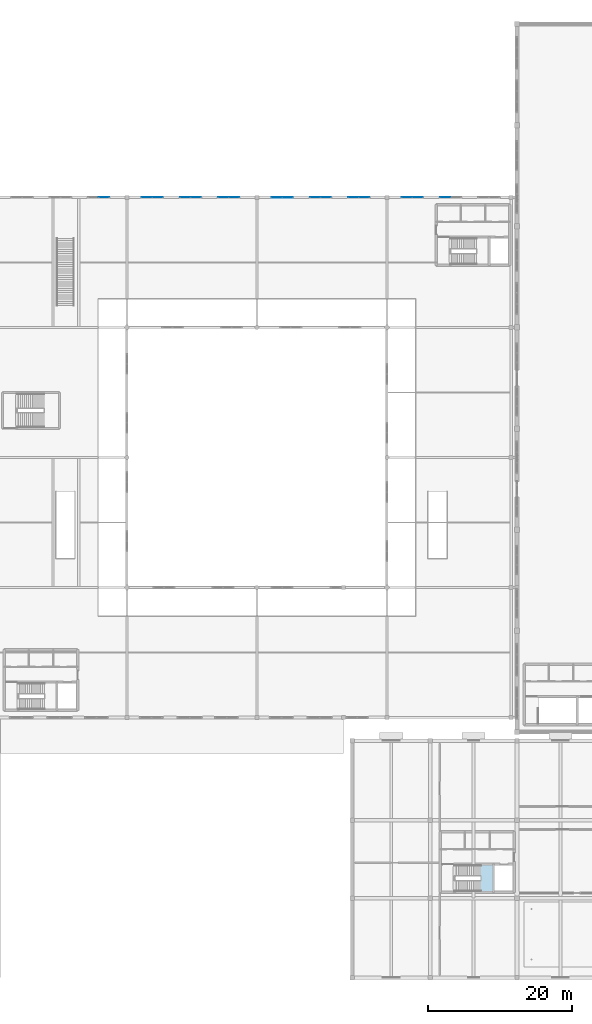
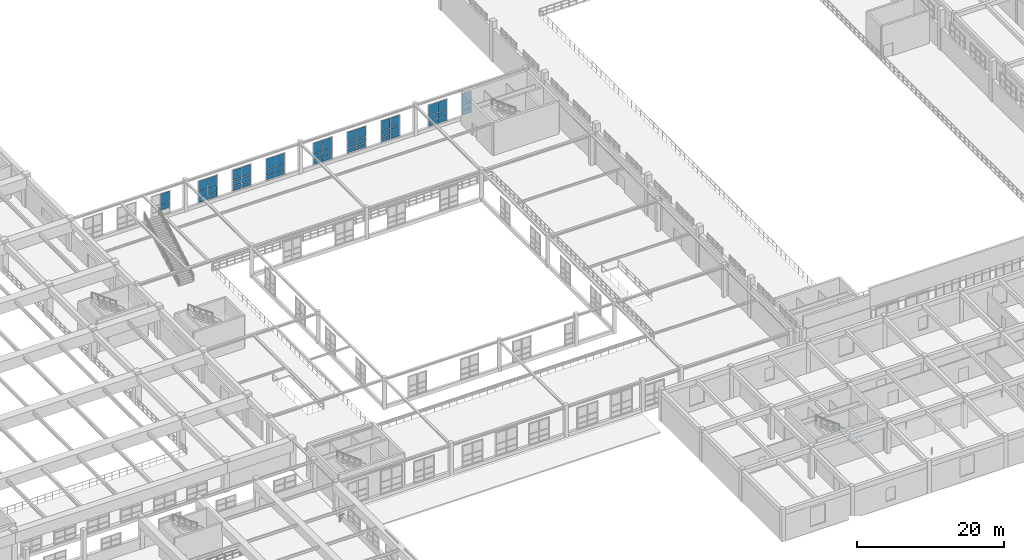
# One storey, part 161 of 197: 47 plates, 1 slab, 10 elements without a shape of their own.
"""IFC4 building model written with IfcOpenShell, lengths in metres."""

from ifc_helpers import new_model, si_unit, derived_unit, direction, frame, origin, origin_2d, place, context, subcontext, project, spatial, polyline, rectangle, outline, extrude, material, layer, layer_set, type_object, element, aggregate, save


model = new_model("IFC4")

# Units and contexts
model_context = context("Model", 3, precision=1e-05, world=origin(), true_north=direction((0.0, 1.0)))
body_context = subcontext(model_context, "Body", "Model", "MODEL_VIEW")
ifc_project = project(units=[si_unit("LENGTHUNIT", "METRE"), si_unit("AREAUNIT", "SQUARE_METRE"), si_unit("VOLUMEUNIT", "CUBIC_METRE"), si_unit("PLANEANGLEUNIT", "RADIAN"), si_unit("MASSUNIT", "GRAM", prefix="KILO"), derived_unit("THERMALTRANSMITTANCEUNIT", [(si_unit("POWERUNIT", "WATT"), 1), (si_unit("LENGTHUNIT", "METRE"), -2), (si_unit("THERMODYNAMICTEMPERATUREUNIT", "KELVIN"), -1)])], contexts=[model_context])

# Site, building, storey
site_placement = place(None, origin())
site = spatial("IfcSite", under=ifc_project, at=site_placement, CompositionType="ELEMENT")
building_placement = place(site_placement, origin())
building = spatial("IfcBuilding", under=site, at=building_placement, Name="Almenara Railside Exhibition Hall", CompositionType="ELEMENT")
storey_placement = place(building_placement, frame((0.0, 0.0, 5.39990234375)))
storey = spatial("IfcBuildingStorey", under=building, at=storey_placement, Name="L01", CompositionType="ELEMENT", Elevation=5.39990234375)

# Curtain wall, plates
ifc_material_1 = material(Name="Bronze-anodised aluminium and low-E double glazing", Category="aluminium")
ifc_layer_1 = layer(ifc_material_1, 0.179931640625, Name="Bronze-anodised aluminium and low-E double glazing")
ifc_layer_set_1 = layer_set([ifc_layer_1], Name="Bronze-anodised aluminium and low-E double glazing")
curtain_wall_type = type_object("IfcCurtainWallType", Name="Courtyard North Galeria Curtain Wall 3000x3700", PredefinedType="NOTDEFINED", material=ifc_layer_set_1)
curtain_wall_1_placement = place(storey_placement, origin())
curtain_wall_1 = element("IfcCurtainWall", 1, at=curtain_wall_1_placement, inside=storey, type_object=curtain_wall_type, Name="Curtain wall CW-CY1-130", PredefinedType="NOTDEFINED")
ifc_material_2 = material(Name="Solar-control acoustic laminated glazing", Category="glass")
ifc_layer_2 = layer(ifc_material_2, 0.031982421875, Name="Solar-control acoustic laminated glazing")
ifc_layer_set_2 = layer_set([ifc_layer_2], Name="Solar-control acoustic laminated glazing")
plate_type_1 = type_object("IfcPlateType", Name="Acoustic Low-E Double Glazing Panel 32mm", PredefinedType="CURTAIN_PANEL", material=ifc_layer_set_2)
plate_1_placement = place(storey_placement, frame((86.763671875, 108.0, 0.674072265625), z_axis=(0.0, 0.0, 1.0), x_axis=(1.0, 0.0, 0.0)))
plate_1 = element("IfcPlate", 2, at=plate_1_placement, type_object=plate_type_1, Name="CW-CY1-130 panel 1.1", PredefinedType="CURTAIN_PANEL", context=body_context, shape_type="SweptSolid", body=[
    extrude(rectangle(XDim=1.43359375, YDim=0.031982421875, at=origin_2d()), origin(), (0.0, 0.0, 1.0), 0.7470703125),
])
plate_2_placement = place(storey_placement, frame((86.763671875, 108.0, 1.479248046875), z_axis=(0.0, 0.0, 1.0), x_axis=(1.0, 0.0, 0.0)))
plate_2 = element("IfcPlate", 3, at=plate_2_placement, type_object=plate_type_1, Name="CW-CY1-130 panel 1.2", PredefinedType="CURTAIN_PANEL", context=body_context, shape_type="SweptSolid", body=[
    extrude(rectangle(XDim=1.43359375, YDim=0.031982421875, at=origin_2d()), origin(), (0.0, 0.0, 1.0), 0.94189453125),
])
plate_3_placement = place(storey_placement, frame((86.763671875, 108.0, 2.47900390625), z_axis=(0.0, 0.0, 1.0), x_axis=(1.0, 0.0, 0.0)))
plate_3 = element("IfcPlate", 4, at=plate_3_placement, type_object=plate_type_1, Name="CW-CY1-130 panel 1.3", PredefinedType="CURTAIN_PANEL", context=body_context, shape_type="SweptSolid", body=[
    extrude(rectangle(XDim=1.43359375, YDim=0.031982421875, at=origin_2d()), origin(), (0.0, 0.0, 1.0), 1.7470703125),
])
plate_4_placement = place(storey_placement, frame((88.236328125, 108.0, 0.674072265625), z_axis=(0.0, 0.0, 1.0), x_axis=(1.0, 0.0, 0.0)))
plate_4 = element("IfcPlate", 5, at=plate_4_placement, type_object=plate_type_1, Name="CW-CY1-130 panel 2.1", PredefinedType="CURTAIN_PANEL", context=body_context, shape_type="SweptSolid", body=[
    extrude(rectangle(XDim=1.43359375, YDim=0.031982421875, at=origin_2d()), origin(), (0.0, 0.0, 1.0), 0.7470703125),
])
plate_5_placement = place(storey_placement, frame((88.236328125, 108.0, 1.479248046875), z_axis=(0.0, 0.0, 1.0), x_axis=(1.0, 0.0, 0.0)))
plate_5 = element("IfcPlate", 6, at=plate_5_placement, type_object=plate_type_1, Name="CW-CY1-130 panel 2.2", PredefinedType="CURTAIN_PANEL", context=body_context, shape_type="SweptSolid", body=[
    extrude(rectangle(XDim=1.43359375, YDim=0.031982421875, at=origin_2d()), origin(), (0.0, 0.0, 1.0), 0.94189453125),
])
plate_6_placement = place(storey_placement, frame((88.236328125, 108.0, 2.47900390625), z_axis=(0.0, 0.0, 1.0), x_axis=(1.0, 0.0, 0.0)))
plate_6 = element("IfcPlate", 7, at=plate_6_placement, type_object=plate_type_1, Name="CW-CY1-130 panel 2.3", PredefinedType="CURTAIN_PANEL", context=body_context, shape_type="SweptSolid", body=[
    extrude(rectangle(XDim=1.43359375, YDim=0.031982421875, at=origin_2d()), origin(), (0.0, 0.0, 1.0), 1.7470703125),
])
aggregate(curtain_wall_1, [plate_1, plate_2, plate_3, plate_4, plate_5, plate_6])

curtain_wall_2_placement = place(storey_placement, origin())
curtain_wall_2 = element("IfcCurtainWall", 8, at=curtain_wall_2_placement, inside=storey, type_object=curtain_wall_type, Name="Curtain wall CW-CY1-140", PredefinedType="NOTDEFINED")
plate_7_placement = place(storey_placement, frame((115.3662109375, 108.0, 0.72412109375), z_axis=(0.0, 0.0, 1.0), x_axis=(1.0, 0.0, 0.0)))
plate_7 = element("IfcPlate", 9, at=plate_7_placement, type_object=plate_type_1, Name="CW-CY1-140 panel 1.1", PredefinedType="CURTAIN_PANEL", context=body_context, shape_type="SweptSolid", body=[
    extrude(rectangle(XDim=1.41845703125, YDim=0.031982421875, at=origin_2d()), origin(), (0.0, 0.0, 1.0), 0.672119140625),
])
plate_8_placement = place(storey_placement, frame((115.3662109375, 108.0, 1.504150390625), z_axis=(0.0, 0.0, 1.0), x_axis=(1.0, 0.0, 0.0)))
plate_8 = element("IfcPlate", 10, at=plate_8_placement, type_object=plate_type_1, Name="CW-CY1-140 panel 1.2", PredefinedType="CURTAIN_PANEL", context=body_context, shape_type="SweptSolid", body=[
    extrude(rectangle(XDim=1.41845703125, YDim=0.031982421875, at=origin_2d()), origin(), (0.0, 0.0, 1.0), 0.89208984375),
])
plate_9_placement = place(storey_placement, frame((115.3662109375, 108.0, 2.50390625), z_axis=(0.0, 0.0, 1.0), x_axis=(1.0, 0.0, 0.0)))
plate_9 = element("IfcPlate", 11, at=plate_9_placement, type_object=plate_type_1, Name="CW-CY1-140 panel 1.3", PredefinedType="CURTAIN_PANEL", context=body_context, shape_type="SweptSolid", body=[
    extrude(rectangle(XDim=1.41845703125, YDim=0.031982421875, at=origin_2d()), origin(), (0.0, 0.0, 1.0), 1.672119140625),
])
plate_10_placement = place(storey_placement, frame((116.833740234375, 108.0, 0.72412109375), z_axis=(0.0, 0.0, 1.0), x_axis=(1.0, 0.0, 0.0)))
plate_10 = element("IfcPlate", 12, at=plate_10_placement, type_object=plate_type_1, Name="CW-CY1-140 panel 2.1", PredefinedType="CURTAIN_PANEL", context=body_context, shape_type="SweptSolid", body=[
    extrude(rectangle(XDim=1.41845703125, YDim=0.031982421875, at=origin_2d()), origin(), (0.0, 0.0, 1.0), 0.672119140625),
])
plate_11_placement = place(storey_placement, frame((116.833740234375, 108.0, 1.504150390625), z_axis=(0.0, 0.0, 1.0), x_axis=(1.0, 0.0, 0.0)))
plate_11 = element("IfcPlate", 13, at=plate_11_placement, type_object=plate_type_1, Name="CW-CY1-140 panel 2.2", PredefinedType="CURTAIN_PANEL", context=body_context, shape_type="SweptSolid", body=[
    extrude(rectangle(XDim=1.41845703125, YDim=0.031982421875, at=origin_2d()), origin(), (0.0, 0.0, 1.0), 0.89208984375),
])
plate_12_placement = place(storey_placement, frame((116.833740234375, 108.0, 2.50390625), z_axis=(0.0, 0.0, 1.0), x_axis=(1.0, 0.0, 0.0)))
plate_12 = element("IfcPlate", 14, at=plate_12_placement, type_object=plate_type_1, Name="CW-CY1-140 panel 2.3", PredefinedType="CURTAIN_PANEL", context=body_context, shape_type="SweptSolid", body=[
    extrude(rectangle(XDim=1.41845703125, YDim=0.031982421875, at=origin_2d()), origin(), (0.0, 0.0, 1.0), 1.672119140625),
])
aggregate(curtain_wall_2, [plate_7, plate_8, plate_9, plate_10, plate_11, plate_12])

curtain_wall_3_placement = place(storey_placement, origin())
curtain_wall_3 = element("IfcCurtainWall", 15, at=curtain_wall_3_placement, inside=storey, type_object=curtain_wall_type, Name="Curtain wall CW-CY1-132", PredefinedType="NOTDEFINED")
ifc_material_3 = material(Name="Clear low-E laminated double glazing", Category="glass")
ifc_layer_3 = layer(ifc_material_3, 0.02392578125, Name="Clear low-E laminated double glazing")
ifc_layer_set_3 = layer_set([ifc_layer_3], Name="Clear low-E laminated double glazing")
plate_type_2 = type_object("IfcPlateType", Name="Courtyard Clear Double Glazing Panel 24mm", PredefinedType="CURTAIN_PANEL", material=ifc_layer_set_3)
plate_13_placement = place(storey_placement, frame((97.3662109375, 108.0, 0.72412109375), z_axis=(0.0, 0.0, 1.0), x_axis=(1.0, 0.0, 0.0)))
plate_13 = element("IfcPlate", 16, at=plate_13_placement, type_object=plate_type_2, Name="CW-CY1-132 panel 1.1", PredefinedType="CURTAIN_PANEL", context=body_context, shape_type="SweptSolid", body=[
    extrude(rectangle(XDim=1.41845703125, YDim=0.02392578125, at=origin_2d()), origin(), (0.0, 0.0, 1.0), 0.672119140625),
])
plate_14_placement = place(storey_placement, frame((97.3662109375, 108.0, 1.504150390625), z_axis=(0.0, 0.0, 1.0), x_axis=(1.0, 0.0, 0.0)))
plate_14 = element("IfcPlate", 17, at=plate_14_placement, type_object=plate_type_2, Name="CW-CY1-132 panel 1.2", PredefinedType="CURTAIN_PANEL", context=body_context, shape_type="SweptSolid", body=[
    extrude(rectangle(XDim=1.41845703125, YDim=0.02392578125, at=origin_2d()), origin(), (0.0, 0.0, 1.0), 0.89208984375),
])
plate_15_placement = place(storey_placement, frame((97.3662109375, 108.0, 2.50390625), z_axis=(0.0, 0.0, 1.0), x_axis=(1.0, 0.0, 0.0)))
plate_15 = element("IfcPlate", 18, at=plate_15_placement, type_object=plate_type_2, Name="CW-CY1-132 panel 1.3", PredefinedType="CURTAIN_PANEL", context=body_context, shape_type="SweptSolid", body=[
    extrude(rectangle(XDim=1.41845703125, YDim=0.02392578125, at=origin_2d()), origin(), (0.0, 0.0, 1.0), 1.672119140625),
])
plate_16_placement = place(storey_placement, frame((98.833740234375, 108.0, 0.72412109375), z_axis=(0.0, 0.0, 1.0), x_axis=(1.0, 0.0, 0.0)))
plate_16 = element("IfcPlate", 19, at=plate_16_placement, type_object=plate_type_2, Name="CW-CY1-132 panel 2.1", PredefinedType="CURTAIN_PANEL", context=body_context, shape_type="SweptSolid", body=[
    extrude(rectangle(XDim=1.41845703125, YDim=0.02392578125, at=origin_2d()), origin(), (0.0, 0.0, 1.0), 0.672119140625),
])
plate_17_placement = place(storey_placement, frame((98.833740234375, 108.0, 1.504150390625), z_axis=(0.0, 0.0, 1.0), x_axis=(1.0, 0.0, 0.0)))
plate_17 = element("IfcPlate", 20, at=plate_17_placement, type_object=plate_type_2, Name="CW-CY1-132 panel 2.2", PredefinedType="CURTAIN_PANEL", context=body_context, shape_type="SweptSolid", body=[
    extrude(rectangle(XDim=1.41845703125, YDim=0.02392578125, at=origin_2d()), origin(), (0.0, 0.0, 1.0), 0.89208984375),
])
plate_18_placement = place(storey_placement, frame((98.833740234375, 108.0, 2.50390625), z_axis=(0.0, 0.0, 1.0), x_axis=(1.0, 0.0, 0.0)))
plate_18 = element("IfcPlate", 21, at=plate_18_placement, type_object=plate_type_2, Name="CW-CY1-132 panel 2.3", PredefinedType="CURTAIN_PANEL", context=body_context, shape_type="SweptSolid", body=[
    extrude(rectangle(XDim=1.41845703125, YDim=0.02392578125, at=origin_2d()), origin(), (0.0, 0.0, 1.0), 1.672119140625),
])
aggregate(curtain_wall_3, [plate_13, plate_14, plate_15, plate_16, plate_17, plate_18])

curtain_wall_4_placement = place(storey_placement, origin())
curtain_wall_4 = element("IfcCurtainWall", 22, at=curtain_wall_4_placement, inside=storey, type_object=curtain_wall_type, Name="Curtain wall CW-CY1-142", PredefinedType="NOTDEFINED")
plate_19_placement = place(storey_placement, frame((128.063720703125, 108.0, 0.674072265625), z_axis=(0.0, 0.0, 1.0), x_axis=(1.0, 0.0, 0.0)))
plate_19 = element("IfcPlate", 23, at=plate_19_placement, type_object=plate_type_2, Name="CW-CY1-142 panel 1.1", PredefinedType="CURTAIN_PANEL", context=body_context, shape_type="SweptSolid", body=[
    extrude(rectangle(XDim=1.43359375, YDim=0.02392578125, at=origin_2d()), origin(), (0.0, 0.0, 1.0), 0.7470703125),
])
plate_20_placement = place(storey_placement, frame((128.063720703125, 108.0, 1.479248046875), z_axis=(0.0, 0.0, 1.0), x_axis=(1.0, 0.0, 0.0)))
plate_20 = element("IfcPlate", 24, at=plate_20_placement, type_object=plate_type_2, Name="CW-CY1-142 panel 1.2", PredefinedType="CURTAIN_PANEL", context=body_context, shape_type="SweptSolid", body=[
    extrude(rectangle(XDim=1.43359375, YDim=0.02392578125, at=origin_2d()), origin(), (0.0, 0.0, 1.0), 0.94189453125),
])
plate_21_placement = place(storey_placement, frame((128.063720703125, 108.0, 2.47900390625), z_axis=(0.0, 0.0, 1.0), x_axis=(1.0, 0.0, 0.0)))
plate_21 = element("IfcPlate", 25, at=plate_21_placement, type_object=plate_type_2, Name="CW-CY1-142 panel 1.3", PredefinedType="CURTAIN_PANEL", context=body_context, shape_type="SweptSolid", body=[
    extrude(rectangle(XDim=1.43359375, YDim=0.02392578125, at=origin_2d()), origin(), (0.0, 0.0, 1.0), 1.7470703125),
])
aggregate(curtain_wall_4, [plate_19, plate_20, plate_21])

curtain_wall_5_placement = place(storey_placement, origin())
curtain_wall_5 = element("IfcCurtainWall", 26, at=curtain_wall_5_placement, inside=storey, type_object=curtain_wall_type, Name="Curtain wall CW-CY1-138", PredefinedType="NOTDEFINED")
ifc_material_4 = material(Name="Bronze-anodised insulated aluminium spandrel", Category="aluminium")
ifc_layer_4 = layer(ifc_material_4, 0.0400390625, Name="Bronze-anodised insulated aluminium spandrel")
ifc_layer_set_4 = layer_set([ifc_layer_4], Name="Bronze-anodised insulated aluminium spandrel")
plate_type_3 = type_object("IfcPlateType", Name="Insulated Bronze Spandrel Panel 40mm", PredefinedType="CURTAIN_PANEL", material=ifc_layer_set_4)
plate_22_placement = place(storey_placement, frame((104.763671875, 108.0, 0.674072265625), z_axis=(0.0, 0.0, 1.0), x_axis=(1.0, 0.0, 0.0)))
plate_22 = element("IfcPlate", 27, at=plate_22_placement, type_object=plate_type_3, Name="CW-CY1-138 panel 1.1", PredefinedType="CURTAIN_PANEL", context=body_context, shape_type="SweptSolid", body=[
    extrude(rectangle(XDim=1.43359375, YDim=0.0400390625, at=origin_2d()), origin(), (0.0, 0.0, 1.0), 0.7470703125),
])
plate_23_placement = place(storey_placement, frame((104.763671875, 108.0, 1.479248046875), z_axis=(0.0, 0.0, 1.0), x_axis=(1.0, 0.0, 0.0)))
plate_23 = element("IfcPlate", 28, at=plate_23_placement, type_object=plate_type_3, Name="CW-CY1-138 panel 1.2", PredefinedType="CURTAIN_PANEL", context=body_context, shape_type="SweptSolid", body=[
    extrude(rectangle(XDim=1.43359375, YDim=0.0400390625, at=origin_2d()), origin(), (0.0, 0.0, 1.0), 0.94189453125),
])
plate_24_placement = place(storey_placement, frame((104.763671875, 108.0, 2.47900390625), z_axis=(0.0, 0.0, 1.0), x_axis=(1.0, 0.0, 0.0)))
plate_24 = element("IfcPlate", 29, at=plate_24_placement, type_object=plate_type_3, Name="CW-CY1-138 panel 1.3", PredefinedType="CURTAIN_PANEL", context=body_context, shape_type="SweptSolid", body=[
    extrude(rectangle(XDim=1.43359375, YDim=0.0400390625, at=origin_2d()), origin(), (0.0, 0.0, 1.0), 1.7470703125),
])
plate_25_placement = place(storey_placement, frame((106.236328125, 108.0, 0.674072265625), z_axis=(0.0, 0.0, 1.0), x_axis=(1.0, 0.0, 0.0)))
plate_25 = element("IfcPlate", 30, at=plate_25_placement, type_object=plate_type_3, Name="CW-CY1-138 panel 2.1", PredefinedType="CURTAIN_PANEL", context=body_context, shape_type="SweptSolid", body=[
    extrude(rectangle(XDim=1.43359375, YDim=0.0400390625, at=origin_2d()), origin(), (0.0, 0.0, 1.0), 0.7470703125),
])
plate_26_placement = place(storey_placement, frame((106.236328125, 108.0, 1.479248046875), z_axis=(0.0, 0.0, 1.0), x_axis=(1.0, 0.0, 0.0)))
plate_26 = element("IfcPlate", 31, at=plate_26_placement, type_object=plate_type_3, Name="CW-CY1-138 panel 2.2", PredefinedType="CURTAIN_PANEL", context=body_context, shape_type="SweptSolid", body=[
    extrude(rectangle(XDim=1.43359375, YDim=0.0400390625, at=origin_2d()), origin(), (0.0, 0.0, 1.0), 0.94189453125),
])
plate_27_placement = place(storey_placement, frame((106.236328125, 108.0, 2.47900390625), z_axis=(0.0, 0.0, 1.0), x_axis=(1.0, 0.0, 0.0)))
plate_27 = element("IfcPlate", 32, at=plate_27_placement, type_object=plate_type_3, Name="CW-CY1-138 panel 2.3", PredefinedType="CURTAIN_PANEL", context=body_context, shape_type="SweptSolid", body=[
    extrude(rectangle(XDim=1.43359375, YDim=0.0400390625, at=origin_2d()), origin(), (0.0, 0.0, 1.0), 1.7470703125),
])
aggregate(curtain_wall_5, [plate_22, plate_23, plate_24, plate_25, plate_26, plate_27])

curtain_wall_6_placement = place(storey_placement, origin())
curtain_wall_6 = element("IfcCurtainWall", 33, at=curtain_wall_6_placement, inside=storey, type_object=curtain_wall_type, Name="Curtain wall CW-CY1-124", PredefinedType="NOTDEFINED")
ifc_layer_5 = layer(ifc_material_4, 0.034912109375, Name="Bronze-anodised insulated aluminium spandrel")
ifc_layer_set_5 = layer_set([ifc_layer_5], Name="Bronze-anodised insulated aluminium spandrel")
plate_type_4 = type_object("IfcPlateType", Name="Insulated Stucco-Tone Spandrel Panel 35mm", PredefinedType="CURTAIN_PANEL", material=ifc_layer_set_5)
plate_28_placement = place(storey_placement, frame((80.833740234375, 108.0, 1.504150390625), z_axis=(0.0, 0.0, 1.0), x_axis=(1.0, 0.0, 0.0)))
plate_28 = element("IfcPlate", 34, at=plate_28_placement, type_object=plate_type_4, Name="CW-CY1-124 panel 2.2", PredefinedType="CURTAIN_PANEL", context=body_context, shape_type="SweptSolid", body=[
    extrude(rectangle(XDim=1.41845703125, YDim=0.034912109375, at=origin_2d()), origin(), (0.0, 0.0, 1.0), 0.89208984375),
])
plate_29_placement = place(storey_placement, frame((80.833740234375, 108.0, 2.50390625), z_axis=(0.0, 0.0, 1.0), x_axis=(1.0, 0.0, 0.0)))
plate_29 = element("IfcPlate", 35, at=plate_29_placement, type_object=plate_type_4, Name="CW-CY1-124 panel 2.3", PredefinedType="CURTAIN_PANEL", context=body_context, shape_type="SweptSolid", body=[
    extrude(rectangle(XDim=1.41845703125, YDim=0.034912109375, at=origin_2d()), origin(), (0.0, 0.0, 1.0), 1.672119140625),
])
aggregate(curtain_wall_6, [plate_28, plate_29])

curtain_wall_7_placement = place(storey_placement, origin())
curtain_wall_7 = element("IfcCurtainWall", 36, at=curtain_wall_7_placement, inside=storey, type_object=curtain_wall_type, Name="Curtain wall CW-CY1-139", PredefinedType="NOTDEFINED")
plate_30_placement = place(storey_placement, frame((110.0673828125, 108.0, 0.744140625), z_axis=(0.0, 0.0, 1.0), x_axis=(1.0, 0.0, 0.0)))
plate_30 = element("IfcPlate", 37, at=plate_30_placement, type_object=plate_type_4, Name="CW-CY1-139 panel 1.1", PredefinedType="CURTAIN_PANEL", context=body_context, shape_type="SweptSolid", body=[
    extrude(rectangle(XDim=1.410888671875, YDim=0.034912109375, at=origin_2d()), origin(), (0.0, 0.0, 1.0), 0.64208984375),
])
plate_31_placement = place(storey_placement, frame((110.0673828125, 108.0, 1.51416015625), z_axis=(0.0, 0.0, 1.0), x_axis=(1.0, 0.0, 0.0)))
plate_31 = element("IfcPlate", 38, at=plate_31_placement, type_object=plate_type_4, Name="CW-CY1-139 panel 1.2", PredefinedType="CURTAIN_PANEL", context=body_context, shape_type="SweptSolid", body=[
    extrude(rectangle(XDim=1.410888671875, YDim=0.034912109375, at=origin_2d()), origin(), (0.0, 0.0, 1.0), 0.8720703125),
])
plate_32_placement = place(storey_placement, frame((110.0673828125, 108.0, 2.51416015625), z_axis=(0.0, 0.0, 1.0), x_axis=(1.0, 0.0, 0.0)))
plate_32 = element("IfcPlate", 39, at=plate_32_placement, type_object=plate_type_4, Name="CW-CY1-139 panel 1.3", PredefinedType="CURTAIN_PANEL", context=body_context, shape_type="SweptSolid", body=[
    extrude(rectangle(XDim=1.410888671875, YDim=0.034912109375, at=origin_2d()), origin(), (0.0, 0.0, 1.0), 1.64208984375),
])
plate_33_placement = place(storey_placement, frame((111.532470703125, 108.0, 0.744140625), z_axis=(0.0, 0.0, 1.0), x_axis=(1.0, 0.0, 0.0)))
plate_33 = element("IfcPlate", 40, at=plate_33_placement, type_object=plate_type_4, Name="CW-CY1-139 panel 2.1", PredefinedType="CURTAIN_PANEL", context=body_context, shape_type="SweptSolid", body=[
    extrude(rectangle(XDim=1.410888671875, YDim=0.034912109375, at=origin_2d()), origin(), (0.0, 0.0, 1.0), 0.64208984375),
])
plate_34_placement = place(storey_placement, frame((111.532470703125, 108.0, 1.51416015625), z_axis=(0.0, 0.0, 1.0), x_axis=(1.0, 0.0, 0.0)))
plate_34 = element("IfcPlate", 41, at=plate_34_placement, type_object=plate_type_4, Name="CW-CY1-139 panel 2.2", PredefinedType="CURTAIN_PANEL", context=body_context, shape_type="SweptSolid", body=[
    extrude(rectangle(XDim=1.410888671875, YDim=0.034912109375, at=origin_2d()), origin(), (0.0, 0.0, 1.0), 0.8720703125),
])
plate_35_placement = place(storey_placement, frame((111.532470703125, 108.0, 2.51416015625), z_axis=(0.0, 0.0, 1.0), x_axis=(1.0, 0.0, 0.0)))
plate_35 = element("IfcPlate", 42, at=plate_35_placement, type_object=plate_type_4, Name="CW-CY1-139 panel 2.3", PredefinedType="CURTAIN_PANEL", context=body_context, shape_type="SweptSolid", body=[
    extrude(rectangle(XDim=1.410888671875, YDim=0.034912109375, at=origin_2d()), origin(), (0.0, 0.0, 1.0), 1.64208984375),
])
aggregate(curtain_wall_7, [plate_30, plate_31, plate_32, plate_33, plate_34, plate_35])

curtain_wall_8_placement = place(storey_placement, origin())
curtain_wall_8 = element("IfcCurtainWall", 43, at=curtain_wall_8_placement, inside=storey, type_object=curtain_wall_type, Name="Curtain wall CW-CY1-131", PredefinedType="NOTDEFINED")
ifc_material_5 = material(Name="Solar-control low-E laminated double glazing", Category="glass")
ifc_layer_6 = layer(ifc_material_5, 0.028076171875, Name="Solar-control low-E laminated double glazing")
ifc_layer_set_6 = layer_set([ifc_layer_6], Name="Solar-control low-E laminated double glazing")
plate_type_5 = type_object("IfcPlateType", Name="Low-E Solar Control Double Glazing Panel 28mm", PredefinedType="CURTAIN_PANEL", material=ifc_layer_set_6)
plate_36_placement = place(storey_placement, frame((92.0673828125, 108.0, 0.744140625), z_axis=(0.0, 0.0, 1.0), x_axis=(1.0, 0.0, 0.0)))
plate_36 = element("IfcPlate", 44, at=plate_36_placement, type_object=plate_type_5, Name="CW-CY1-131 panel 1.1", PredefinedType="CURTAIN_PANEL", context=body_context, shape_type="SweptSolid", body=[
    extrude(rectangle(XDim=1.410888671875, YDim=0.028076171875, at=origin_2d()), origin(), (0.0, 0.0, 1.0), 0.64208984375),
])
plate_37_placement = place(storey_placement, frame((92.0673828125, 108.0, 1.51416015625), z_axis=(0.0, 0.0, 1.0), x_axis=(1.0, 0.0, 0.0)))
plate_37 = element("IfcPlate", 45, at=plate_37_placement, type_object=plate_type_5, Name="CW-CY1-131 panel 1.2", PredefinedType="CURTAIN_PANEL", context=body_context, shape_type="SweptSolid", body=[
    extrude(rectangle(XDim=1.410888671875, YDim=0.028076171875, at=origin_2d()), origin(), (0.0, 0.0, 1.0), 0.8720703125),
])
plate_38_placement = place(storey_placement, frame((92.0673828125, 108.0, 2.51416015625), z_axis=(0.0, 0.0, 1.0), x_axis=(1.0, 0.0, 0.0)))
plate_38 = element("IfcPlate", 46, at=plate_38_placement, type_object=plate_type_5, Name="CW-CY1-131 panel 1.3", PredefinedType="CURTAIN_PANEL", context=body_context, shape_type="SweptSolid", body=[
    extrude(rectangle(XDim=1.410888671875, YDim=0.028076171875, at=origin_2d()), origin(), (0.0, 0.0, 1.0), 1.64208984375),
])
plate_39_placement = place(storey_placement, frame((93.532470703125, 108.0, 0.744140625), z_axis=(0.0, 0.0, 1.0), x_axis=(1.0, 0.0, 0.0)))
plate_39 = element("IfcPlate", 47, at=plate_39_placement, type_object=plate_type_5, Name="CW-CY1-131 panel 2.1", PredefinedType="CURTAIN_PANEL", context=body_context, shape_type="SweptSolid", body=[
    extrude(rectangle(XDim=1.410888671875, YDim=0.028076171875, at=origin_2d()), origin(), (0.0, 0.0, 1.0), 0.64208984375),
])
plate_40_placement = place(storey_placement, frame((93.532470703125, 108.0, 1.51416015625), z_axis=(0.0, 0.0, 1.0), x_axis=(1.0, 0.0, 0.0)))
plate_40 = element("IfcPlate", 48, at=plate_40_placement, type_object=plate_type_5, Name="CW-CY1-131 panel 2.2", PredefinedType="CURTAIN_PANEL", context=body_context, shape_type="SweptSolid", body=[
    extrude(rectangle(XDim=1.410888671875, YDim=0.028076171875, at=origin_2d()), origin(), (0.0, 0.0, 1.0), 0.8720703125),
])
plate_41_placement = place(storey_placement, frame((93.532470703125, 108.0, 2.51416015625), z_axis=(0.0, 0.0, 1.0), x_axis=(1.0, 0.0, 0.0)))
plate_41 = element("IfcPlate", 49, at=plate_41_placement, type_object=plate_type_5, Name="CW-CY1-131 panel 2.3", PredefinedType="CURTAIN_PANEL", context=body_context, shape_type="SweptSolid", body=[
    extrude(rectangle(XDim=1.410888671875, YDim=0.028076171875, at=origin_2d()), origin(), (0.0, 0.0, 1.0), 1.64208984375),
])
aggregate(curtain_wall_8, [plate_36, plate_37, plate_38, plate_39, plate_40, plate_41])

curtain_wall_9_placement = place(storey_placement, origin())
curtain_wall_9 = element("IfcCurtainWall", 50, at=curtain_wall_9_placement, inside=storey, type_object=curtain_wall_type, Name="Curtain wall CW-CY1-141", PredefinedType="NOTDEFINED")
plate_42_placement = place(storey_placement, frame((122.764892578125, 108.0, 0.69384765625), z_axis=(0.0, 0.0, 1.0), x_axis=(1.0, 0.0, 0.0)))
plate_42 = element("IfcPlate", 51, at=plate_42_placement, type_object=plate_type_5, Name="CW-CY1-141 panel 1.1", PredefinedType="CURTAIN_PANEL", context=body_context, shape_type="SweptSolid", body=[
    extrude(rectangle(XDim=1.426025390625, YDim=0.028076171875, at=origin_2d()), origin(), (0.0, 0.0, 1.0), 0.717041015625),
])
plate_43_placement = place(storey_placement, frame((122.764892578125, 108.0, 1.4892578125), z_axis=(0.0, 0.0, 1.0), x_axis=(1.0, 0.0, 0.0)))
plate_43 = element("IfcPlate", 52, at=plate_43_placement, type_object=plate_type_5, Name="CW-CY1-141 panel 1.2", PredefinedType="CURTAIN_PANEL", context=body_context, shape_type="SweptSolid", body=[
    extrude(rectangle(XDim=1.426025390625, YDim=0.028076171875, at=origin_2d()), origin(), (0.0, 0.0, 1.0), 0.922119140625),
])
plate_44_placement = place(storey_placement, frame((122.764892578125, 108.0, 2.4892578125), z_axis=(0.0, 0.0, 1.0), x_axis=(1.0, 0.0, 0.0)))
plate_44 = element("IfcPlate", 53, at=plate_44_placement, type_object=plate_type_5, Name="CW-CY1-141 panel 1.3", PredefinedType="CURTAIN_PANEL", context=body_context, shape_type="SweptSolid", body=[
    extrude(rectangle(XDim=1.426025390625, YDim=0.028076171875, at=origin_2d()), origin(), (0.0, 0.0, 1.0), 1.717041015625),
])
plate_45_placement = place(storey_placement, frame((124.235107421875, 108.0, 0.69384765625), z_axis=(0.0, 0.0, 1.0), x_axis=(1.0, 0.0, 0.0)))
plate_45 = element("IfcPlate", 54, at=plate_45_placement, type_object=plate_type_5, Name="CW-CY1-141 panel 2.1", PredefinedType="CURTAIN_PANEL", context=body_context, shape_type="SweptSolid", body=[
    extrude(rectangle(XDim=1.426025390625, YDim=0.028076171875, at=origin_2d()), origin(), (0.0, 0.0, 1.0), 0.717041015625),
])
plate_46_placement = place(storey_placement, frame((124.235107421875, 108.0, 1.4892578125), z_axis=(0.0, 0.0, 1.0), x_axis=(1.0, 0.0, 0.0)))
plate_46 = element("IfcPlate", 55, at=plate_46_placement, type_object=plate_type_5, Name="CW-CY1-141 panel 2.2", PredefinedType="CURTAIN_PANEL", context=body_context, shape_type="SweptSolid", body=[
    extrude(rectangle(XDim=1.426025390625, YDim=0.028076171875, at=origin_2d()), origin(), (0.0, 0.0, 1.0), 0.922119140625),
])
plate_47_placement = place(storey_placement, frame((124.235107421875, 108.0, 2.4892578125), z_axis=(0.0, 0.0, 1.0), x_axis=(1.0, 0.0, 0.0)))
plate_47 = element("IfcPlate", 56, at=plate_47_placement, type_object=plate_type_5, Name="CW-CY1-141 panel 2.3", PredefinedType="CURTAIN_PANEL", context=body_context, shape_type="SweptSolid", body=[
    extrude(rectangle(XDim=1.426025390625, YDim=0.028076171875, at=origin_2d()), origin(), (0.0, 0.0, 1.0), 1.717041015625),
])
aggregate(curtain_wall_9, [plate_42, plate_43, plate_44, plate_45, plate_46, plate_47])

# Stair, slab
ifc_material_6 = material(Name="Concrete C35/45", Category="concrete")
stair_type = type_object("IfcStairType", Name="Core Dog-Leg Escape Stair 1520mm", PredefinedType="TWO_STRAIGHT_RUN_STAIR", material=ifc_material_6)
stair_placement = place(storey_placement, origin())
stair = element("IfcStair", 57, at=stair_placement, inside=storey, type_object=stair_type, Name="Escape stair ST-C5-L01", PredefinedType="TWO_STRAIGHT_RUN_STAIR")
ifc_layer_7 = layer(ifc_material_6, 0.199951171875, Name="Concrete C35/45")
ifc_layer_set_7 = layer_set([ifc_layer_7], Name="Concrete C35/45")
slab_type = type_object("IfcSlabType", Name="Stair Half-Landing Slab 200mm C35/45", PredefinedType="LANDING", material=ifc_layer_set_7)
slab_placement = place(storey_placement, frame((0.0, 0.0, 2.5)))
slab = element("IfcSlab", 58, at=slab_placement, type_object=slab_type, Name="ST-C5-L01 landing 1", PredefinedType="LANDING", context=body_context, shape_type="SweptSolid", body=[
    extrude(outline(polyline([(132.959716796875, 11.85009765625), (134.68994140625, 11.85009765625), (134.68994140625, 15.679931640625), (132.959716796875, 15.679931640625), (132.959716796875, 11.85009765625)])), origin(), (0.0, 0.0, 1.0), 0.2001953125),
])
aggregate(stair, [slab])

save(model, "model.ifc")
